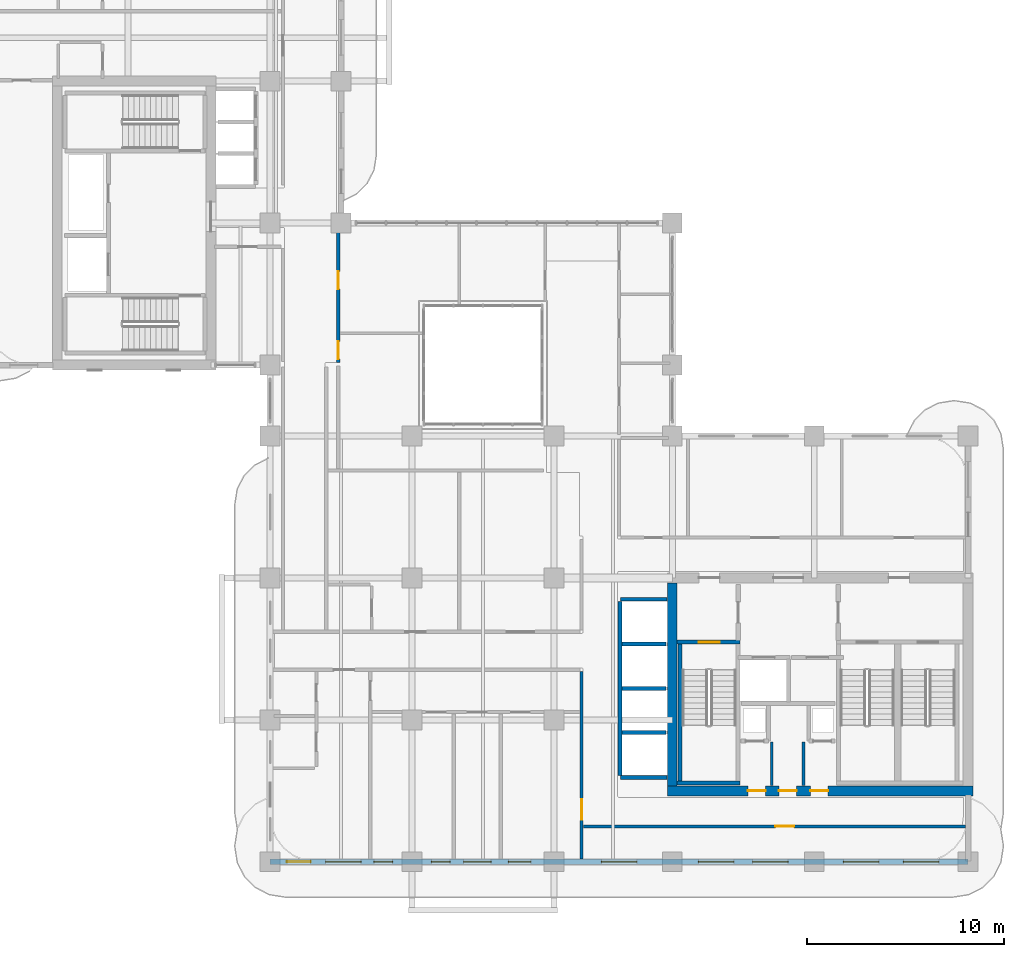
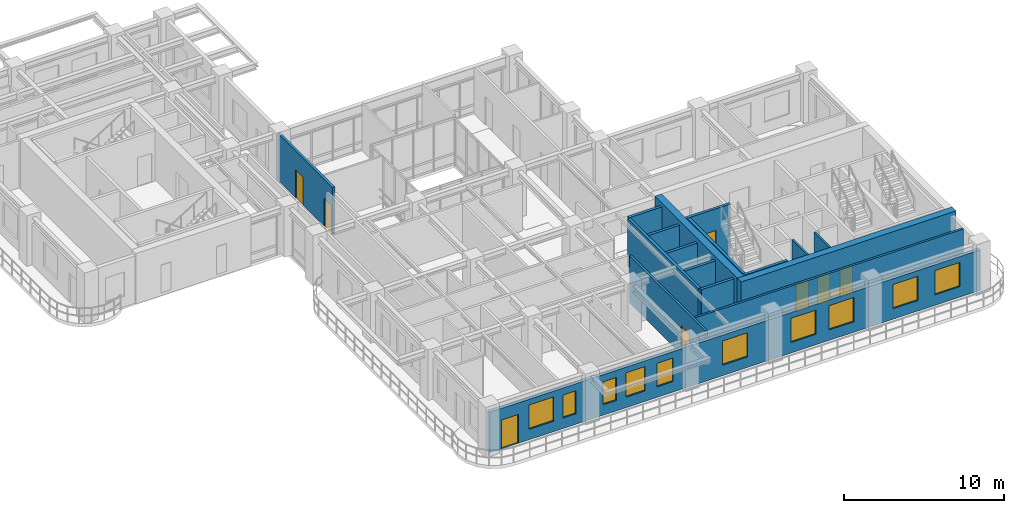
# One storey, part 12 of 20: 17 walls, 10 windows, 9 doors, 19 openings.
"""IFC4 building model written with IfcOpenShell, lengths in metres."""

from ifc_helpers import new_model, si_unit, derived_unit, direction, frame, frame_2d, origin, place, context, subcontext, project, spatial, rectangle, extrude, source, transform, mapped, material, layer, layer_set, type_object, type_shapes, element, fill, save


model = new_model("IFC4")

# Units and contexts
model_context = context("Model", 3, precision=1e-05, world=origin(), true_north=direction((0.0, 1.0)))
body_context = subcontext(model_context, "Body", "Model", "MODEL_VIEW")
ifc_project = project(units=[si_unit("LENGTHUNIT", "METRE"), si_unit("AREAUNIT", "SQUARE_METRE"), si_unit("VOLUMEUNIT", "CUBIC_METRE"), si_unit("PLANEANGLEUNIT", "RADIAN"), si_unit("MASSUNIT", "GRAM", prefix="KILO"), si_unit("THERMODYNAMICTEMPERATUREUNIT", "KELVIN"), si_unit("POWERUNIT", "WATT"), derived_unit("THERMALTRANSMITTANCEUNIT", [(si_unit("POWERUNIT", "WATT"), 1), (si_unit("AREAUNIT", "SQUARE_METRE"), -1), (si_unit("THERMODYNAMICTEMPERATUREUNIT", "KELVIN"), -1)])], contexts=[model_context])

# Site, building, storey
site_placement = place(None, origin())
site = spatial("IfcSite", under=ifc_project, at=site_placement, CompositionType="ELEMENT")
building_placement = place(site_placement, origin())
building = spatial("IfcBuilding", under=site, at=building_placement, Name="Zahravan Archway Hotel and Residences", CompositionType="ELEMENT")
storey_placement = place(building_placement, frame((0.0, 0.0, 173.39990234375)))
storey = spatial("IfcBuildingStorey", under=building, at=storey_placement, Name="L43", CompositionType="ELEMENT", Elevation=173.39990234375)

# Wall, openings, doors
ifc_material_1 = material(Name="Concrete C60/75", Category="concrete")
ifc_layer_1 = layer(ifc_material_1, 0.5, Name="Concrete C60/75", Category="concrete")
ifc_layer_set_1 = layer_set([ifc_layer_1], Name="Concrete C60/75")
wall_type_1 = type_object("IfcWallType", Name="CW-CORE-500", PredefinedType="SHEAR", material=ifc_layer_set_1)
wall_1_placement = place(storey_placement, frame((34.550048828125, 3.60009765625, 0.0), z_axis=(0.0, 0.0, 1.0), x_axis=(1.0, 0.0, 0.0)))
wall_1 = element("IfcWall", 1, at=wall_1_placement, inside=storey, type_object=wall_type_1, Name="L43 Core A Shear S Wall 500 mm", PredefinedType="SHEAR", context=body_context, shape_type="SweptSolid", body=[
    extrude(rectangle(XDim=15.5, YDim=0.5, at=frame_2d((7.75, 0.0))), origin(), (0.0, 0.0, 1.0), 3.85009765625),
])
opening_1_placement = place(wall_1_placement, frame((4.080078125, 0.0, 0.0)))
opening_1 = element("IfcOpeningElement", 2, at=opening_1_placement, cuts=wall_1, Name="Opening FD-R1", PredefinedType="OPENING", context=body_context, shape_type="SweptSolid", body=[
    extrude(rectangle(XDim=0.89990234375, YDim=2.10009765625, at=frame_2d((0.449951171875, 1.050048828125))), frame((0.0, 0.260009765625, 0.0), z_axis=(0.0, -1.0, 0.0), x_axis=(1.0, 0.0, 0.0)), (0.0, 0.0, 1.0), 0.52001953125),
])
opening_2_placement = place(wall_1_placement, frame((5.64990234375, 0.0, 0.0)))
opening_2 = element("IfcOpeningElement", 3, at=opening_2_placement, cuts=wall_1, Name="Opening FD-R1", PredefinedType="OPENING", context=body_context, shape_type="SweptSolid", body=[
    extrude(rectangle(XDim=0.89990234375, YDim=2.10009765625, at=frame_2d((0.449951171875, 1.050048828125))), frame((0.0, 0.260009765625, 0.0), z_axis=(0.0, -1.0, 0.0), x_axis=(1.0, 0.0, 0.0)), (0.0, 0.0, 1.0), 0.52001953125),
])
opening_3_placement = place(wall_1_placement, frame((7.25, 0.0, 0.0)))
opening_3 = element("IfcOpeningElement", 4, at=opening_3_placement, cuts=wall_1, Name="Opening FD-R1", PredefinedType="OPENING", context=body_context, shape_type="SweptSolid", body=[
    extrude(rectangle(XDim=0.89990234375, YDim=2.10009765625, at=frame_2d((0.449951171875, 1.050048828125))), frame((0.0, 0.260009765625, 0.0), z_axis=(0.0, -1.0, 0.0), x_axis=(1.0, 0.0, 0.0)), (0.0, 0.0, 1.0), 0.52001953125),
])
ifc_material_2 = material(Name="Fire-Rated Painted Steel", Category="steel")
door_type_1 = type_object("IfcDoorType", Name="FD-RISER-900", OperationType="NOTDEFINED", PredefinedType="DOOR", material=ifc_material_2)
shared_shape_1 = source(origin(), body_context, "Body", "SweptSolid", [
    extrude(rectangle(XDim=0.89990234375, YDim=2.10009765625, at=frame_2d((0.449951171875, 1.050048828125))), frame((0.0, 0.02490234375, 0.0), z_axis=(0.0, -1.0, 0.0), x_axis=(1.0, 0.0, 0.0)), (0.0, 0.0, 1.0), 0.050048828125),
])
type_shapes(door_type_1, [shared_shape_1])
door_1_placement = place(opening_1_placement, origin())
door_1 = element("IfcDoor", 5, at=door_1_placement, inside=storey, type_object=door_type_1, Name="L43 Linen Store Door", OperationType="SINGLE_SWING_LEFT", OverallHeight=2.10009765625, OverallWidth=0.89990234375, PredefinedType="DOOR", context=body_context, shape_type="MappedRepresentation", body=[
    mapped(shared_shape_1, transform((0.0, 0.0, 0.0), scale=1.0)),
])
fill(opening_1, door_1)
door_2_placement = place(opening_2_placement, origin())
door_2 = element("IfcDoor", 6, at=door_2_placement, inside=storey, type_object=door_type_1, Name="L43 Housekeeping Store Door", OperationType="SINGLE_SWING_RIGHT", OverallHeight=2.10009765625, OverallWidth=0.89990234375, PredefinedType="DOOR", context=body_context, shape_type="MappedRepresentation", body=[
    mapped(shared_shape_1, transform((0.0, 0.0, 0.0), scale=1.0)),
])
fill(opening_2, door_2)
door_3_placement = place(opening_3_placement, origin())
door_3 = element("IfcDoor", 7, at=door_3_placement, inside=storey, type_object=door_type_1, Name="L43 Janitor Store Door", OperationType="SINGLE_SWING_LEFT", OverallHeight=2.10009765625, OverallWidth=0.89990234375, PredefinedType="DOOR", context=body_context, shape_type="MappedRepresentation", body=[
    mapped(shared_shape_1, transform((0.0, 0.0, 0.0), scale=1.0)),
])
fill(opening_3, door_3)

# Wall
wall_2_placement = place(storey_placement, frame((34.800048828125, 3.85009765625, 0.0), z_axis=(0.0, 0.0, 1.0), x_axis=(0.0, 1.0, 0.0)))
element("IfcWall", 8, at=wall_2_placement, inside=storey, type_object=wall_type_1, Name="L43 Core A Shear W Wall 500 mm", PredefinedType="SHEAR", context=body_context, shape_type="SweptSolid", body=[
    extrude(rectangle(XDim=10.2998046875, YDim=0.5, at=frame_2d((5.14990234375, 0.0))), origin(), (0.0, 0.0, 1.0), 3.85009765625),
])

# Wall, openings, door, windows
ifc_material_3 = material(Name="Honed Red-Ochre Sandstone & Insulated Block", Category="masonry")
ifc_layer_2 = layer(ifc_material_3, 0.280029296875, Name="Honed Red-Ochre Sandstone & Insulated Block", Category="masonry")
ifc_layer_set_2 = layer_set([ifc_layer_2], Name="Honed Red-Ochre Sandstone & Insulated Block")
wall_type_2 = type_object("IfcWallType", Name="EW-LOG-280", PredefinedType="SOLIDWALL", material=ifc_layer_set_2)
wall_3_placement = place(storey_placement, frame((14.39990234375, 0.0, 0.0), z_axis=(0.0, 0.0, 1.0), x_axis=(1.0, 0.0, 0.0)))
wall_3 = element("IfcWall", 9, at=wall_3_placement, inside=storey, type_object=wall_type_2, Name="L43 Exterior Sandstone Wall WA-S", PredefinedType="SOLIDWALL", context=body_context, shape_type="SweptSolid", body=[
    extrude(rectangle(XDim=35.400146484375, YDim=0.280029296875, at=frame_2d((17.7001953125, 0.0))), origin(), (0.0, 0.0, 1.0), 3.085205078125),
])
opening_4_placement = place(wall_3_placement, frame((0.85009765625, 0.0, 0.0)))
opening_4 = element("IfcOpeningElement", 10, at=opening_4_placement, cuts=wall_3, Name="Opening ED-BL1", PredefinedType="OPENING", context=body_context, shape_type="SweptSolid", body=[
    extrude(rectangle(XDim=1.199951171875, YDim=2.199951171875, at=frame_2d((0.60009765625, 1.10009765625))), frame((0.0, 0.14990234375, 0.0), z_axis=(0.0, -1.0, 0.0), x_axis=(1.0, 0.0, 0.0)), (0.0, 0.0, 1.0), 0.300048828125),
])
opening_5_placement = place(wall_3_placement, frame((2.81103515625, 0.0, 0.800048828125)))
opening_5 = element("IfcOpeningElement", 11, at=opening_5_placement, cuts=wall_3, Name="Opening W-02", PredefinedType="OPENING", context=body_context, shape_type="SweptSolid", body=[
    extrude(rectangle(XDim=1.800048828125, YDim=1.85009765625, at=frame_2d((0.89990234375, 0.925048828125))), frame((0.0, 0.14990234375, 0.0), z_axis=(0.0, -1.0, 0.0), x_axis=(1.0, 0.0, 0.0)), (0.0, 0.0, 1.0), 0.300048828125),
])
opening_6_placement = place(wall_3_placement, frame((5.26904296875, 0.0, 0.800048828125)))
opening_6 = element("IfcOpeningElement", 12, at=opening_6_placement, cuts=wall_3, Name="Opening W-04", PredefinedType="OPENING", context=body_context, shape_type="SweptSolid", body=[
    extrude(rectangle(XDim=0.949951171875, YDim=1.75, at=frame_2d((0.47509765625, 0.875))), frame((0.0, 0.14990234375, 0.0), z_axis=(0.0, -1.0, 0.0), x_axis=(1.0, 0.0, 0.0)), (0.0, 0.0, 1.0), 0.300048828125),
])
opening_7_placement = place(wall_3_placement, frame((8.180908203125, 0.0, 0.800048828125)))
opening_7 = element("IfcOpeningElement", 13, at=opening_7_placement, cuts=wall_3, Name="Opening W-04", PredefinedType="OPENING", context=body_context, shape_type="SweptSolid", body=[
    extrude(rectangle(XDim=0.949951171875, YDim=1.75, at=frame_2d((0.47509765625, 0.875))), frame((0.0, 0.14990234375, 0.0), z_axis=(0.0, -1.0, 0.0), x_axis=(1.0, 0.0, 0.0)), (0.0, 0.0, 1.0), 0.300048828125),
])
opening_8_placement = place(wall_3_placement, frame((9.81005859375, 0.0, 0.800048828125)))
opening_8 = element("IfcOpeningElement", 14, at=opening_8_placement, cuts=wall_3, Name="Opening W-03", PredefinedType="OPENING", context=body_context, shape_type="SweptSolid", body=[
    extrude(rectangle(XDim=1.39990234375, YDim=1.85009765625, at=frame_2d((0.699951171875, 0.925048828125))), frame((0.0, 0.14990234375, 0.0), z_axis=(0.0, -1.0, 0.0), x_axis=(1.0, 0.0, 0.0)), (0.0, 0.0, 1.0), 0.300048828125),
])
opening_9_placement = place(wall_3_placement, frame((12.0791015625, 0.0, 0.800048828125)))
opening_9 = element("IfcOpeningElement", 15, at=opening_9_placement, cuts=wall_3, Name="Opening W-05", PredefinedType="OPENING", context=body_context, shape_type="SweptSolid", body=[
    extrude(rectangle(XDim=1.14990234375, YDim=1.800048828125, at=frame_2d((0.574951171875, 0.89990234375))), frame((0.0, 0.14990234375, 0.0), z_axis=(0.0, -1.0, 0.0), x_axis=(1.0, 0.0, 0.0)), (0.0, 0.0, 1.0), 0.300048828125),
])
opening_10_placement = place(wall_3_placement, frame((16.803955078125, 0.0, 0.800048828125)))
opening_10 = element("IfcOpeningElement", 16, at=opening_10_placement, cuts=wall_3, Name="Opening W-02", PredefinedType="OPENING", context=body_context, shape_type="SweptSolid", body=[
    extrude(rectangle(XDim=1.800048828125, YDim=1.85009765625, at=frame_2d((0.89990234375, 0.925048828125))), frame((0.0, 0.14990234375, 0.0), z_axis=(0.0, -1.0, 0.0), x_axis=(1.0, 0.0, 0.0)), (0.0, 0.0, 1.0), 0.300048828125),
])
opening_11_placement = place(wall_3_placement, frame((21.72509765625, 0.0, 0.800048828125)))
opening_11 = element("IfcOpeningElement", 17, at=opening_11_placement, cuts=wall_3, Name="Opening W-02", PredefinedType="OPENING", context=body_context, shape_type="SweptSolid", body=[
    extrude(rectangle(XDim=1.800048828125, YDim=1.85009765625, at=frame_2d((0.89990234375, 0.925048828125))), frame((0.0, 0.14990234375, 0.0), z_axis=(0.0, -1.0, 0.0), x_axis=(1.0, 0.0, 0.0)), (0.0, 0.0, 1.0), 0.300048828125),
])
opening_12_placement = place(wall_3_placement, frame((24.47509765625, 0.0, 0.800048828125)))
opening_12 = element("IfcOpeningElement", 18, at=opening_12_placement, cuts=wall_3, Name="Opening W-02", PredefinedType="OPENING", context=body_context, shape_type="SweptSolid", body=[
    extrude(rectangle(XDim=1.800048828125, YDim=1.85009765625, at=frame_2d((0.89990234375, 0.925048828125))), frame((0.0, 0.14990234375, 0.0), z_axis=(0.0, -1.0, 0.0), x_axis=(1.0, 0.0, 0.0)), (0.0, 0.0, 1.0), 0.300048828125),
])
opening_13_placement = place(wall_3_placement, frame((29.074951171875, 0.0, 0.800048828125)))
opening_13 = element("IfcOpeningElement", 19, at=opening_13_placement, cuts=wall_3, Name="Opening W-02", PredefinedType="OPENING", context=body_context, shape_type="SweptSolid", body=[
    extrude(rectangle(XDim=1.800048828125, YDim=1.85009765625, at=frame_2d((0.89990234375, 0.925048828125))), frame((0.0, 0.14990234375, 0.0), z_axis=(0.0, -1.0, 0.0), x_axis=(1.0, 0.0, 0.0)), (0.0, 0.0, 1.0), 0.300048828125),
])
opening_14_placement = place(wall_3_placement, frame((32.125, 0.0, 0.800048828125)))
opening_14 = element("IfcOpeningElement", 20, at=opening_14_placement, cuts=wall_3, Name="Opening W-02", PredefinedType="OPENING", context=body_context, shape_type="SweptSolid", body=[
    extrude(rectangle(XDim=1.800048828125, YDim=1.85009765625, at=frame_2d((0.89990234375, 0.925048828125))), frame((0.0, 0.14990234375, 0.0), z_axis=(0.0, -1.0, 0.0), x_axis=(1.0, 0.0, 0.0)), (0.0, 0.0, 1.0), 0.300048828125),
])
ifc_material_4 = material(Name="Bronze-Anodized Glazed Aluminium", Category="aluminium")
door_type_2 = type_object("IfcDoorType", Name="ED-BALC-1200", OperationType="SLIDING_TO_LEFT", PredefinedType="DOOR", material=ifc_material_4)
shared_shape_2 = source(origin(), body_context, "Body", "SweptSolid", [
    extrude(rectangle(XDim=1.199951171875, YDim=2.199951171875, at=frame_2d((0.60009765625, 1.10009765625))), frame((0.0, 0.02490234375, 0.0), z_axis=(0.0, -1.0, 0.0), x_axis=(1.0, 0.0, 0.0)), (0.0, 0.0, 1.0), 0.050048828125),
])
type_shapes(door_type_2, [shared_shape_2])
door_4_placement = place(opening_4_placement, origin())
door_4 = element("IfcDoor", 21, at=door_4_placement, inside=storey, type_object=door_type_2, Name="L43 Outdoor Access Sliding Door (SLB-BAL-L43-SA)", OperationType="SLIDING_TO_LEFT", OverallHeight=2.199951171875, OverallWidth=1.199951171875, PredefinedType="DOOR", context=body_context, shape_type="MappedRepresentation", body=[
    mapped(shared_shape_2, transform((0.0, 0.0, 0.0), scale=1.0)),
])
fill(opening_4, door_4)
ifc_material_5 = material(Name="Bronze-Anodized Thermal-Break Aluminium & Low-E Glass", Category="aluminium")
window_type_1 = type_object("IfcWindowType", Name="WIN-TWR-1400", PartitioningType="SINGLE_PANEL", PredefinedType="WINDOW", material=ifc_material_5)
shared_shape_3 = source(origin(), body_context, "Body", "SweptSolid", [
    extrude(rectangle(XDim=1.39990234375, YDim=1.85009765625, at=frame_2d((0.699951171875, 0.925048828125))), frame((0.0, 0.030029296875, 0.0), z_axis=(0.0, -1.0, 0.0), x_axis=(1.0, 0.0, 0.0)), (0.0, 0.0, 1.0), 0.06005859375),
])
type_shapes(window_type_1, [shared_shape_3])
window_1_placement = place(opening_8_placement, origin())
window_1 = element("IfcWindow", 22, at=window_1_placement, inside=storey, type_object=window_type_1, Name="L43 Loggia Window 04", OverallHeight=1.85009765625, OverallWidth=1.39990234375, PartitioningType="SINGLE_PANEL", PredefinedType="WINDOW", context=body_context, shape_type="MappedRepresentation", body=[
    mapped(shared_shape_3, transform((0.0, 0.0, 0.0), scale=1.0)),
])
fill(opening_8, window_1)
window_type_2 = type_object("IfcWindowType", Name="WIN-NAR-950", PartitioningType="SINGLE_PANEL", PredefinedType="WINDOW", material=ifc_material_5)
shared_shape_4 = source(origin(), body_context, "Body", "SweptSolid", [
    extrude(rectangle(XDim=0.949951171875, YDim=1.75, at=frame_2d((0.47509765625, 0.875))), frame((0.0, 0.030029296875, 0.0), z_axis=(0.0, -1.0, 0.0), x_axis=(1.0, 0.0, 0.0)), (0.0, 0.0, 1.0), 0.06005859375),
])
type_shapes(window_type_2, [shared_shape_4])
window_2_placement = place(opening_6_placement, origin())
window_2 = element("IfcWindow", 23, at=window_2_placement, inside=storey, type_object=window_type_2, Name="L43 Loggia Window 02", OverallHeight=1.75, OverallWidth=0.949951171875, PartitioningType="SINGLE_PANEL", PredefinedType="WINDOW", context=body_context, shape_type="MappedRepresentation", body=[
    mapped(shared_shape_4, transform((0.0, 0.0, 0.0), scale=1.0)),
])
fill(opening_6, window_2)
window_3_placement = place(opening_7_placement, origin())
window_3 = element("IfcWindow", 24, at=window_3_placement, inside=storey, type_object=window_type_2, Name="L43 Loggia Window 03", OverallHeight=1.75, OverallWidth=0.949951171875, PartitioningType="SINGLE_PANEL", PredefinedType="WINDOW", context=body_context, shape_type="MappedRepresentation", body=[
    mapped(shared_shape_4, transform((0.0, 0.0, 0.0), scale=1.0)),
])
fill(opening_7, window_3)
window_type_3 = type_object("IfcWindowType", Name="WIN-TWR-1800", PartitioningType="DOUBLE_PANEL_VERTICAL", PredefinedType="WINDOW", material=ifc_material_5)
shared_shape_5 = source(origin(), body_context, "Body", "SweptSolid", [
    extrude(rectangle(XDim=1.800048828125, YDim=1.85009765625, at=frame_2d((0.89990234375, 0.925048828125))), frame((0.0, 0.030029296875, 0.0), z_axis=(0.0, -1.0, 0.0), x_axis=(1.0, 0.0, 0.0)), (0.0, 0.0, 1.0), 0.06005859375),
])
type_shapes(window_type_3, [shared_shape_5])
window_4_placement = place(opening_5_placement, origin())
window_4 = element("IfcWindow", 25, at=window_4_placement, inside=storey, type_object=window_type_3, Name="L43 Loggia Window 01", OverallHeight=1.85009765625, OverallWidth=1.800048828125, PartitioningType="DOUBLE_PANEL_VERTICAL", PredefinedType="WINDOW", context=body_context, shape_type="MappedRepresentation", body=[
    mapped(shared_shape_5, transform((0.0, 0.0, 0.0), scale=1.0)),
])
fill(opening_5, window_4)
window_5_placement = place(opening_10_placement, origin())
window_5 = element("IfcWindow", 26, at=window_5_placement, inside=storey, type_object=window_type_3, Name="L43 Loggia Window 06", OverallHeight=1.85009765625, OverallWidth=1.800048828125, PartitioningType="DOUBLE_PANEL_VERTICAL", PredefinedType="WINDOW", context=body_context, shape_type="MappedRepresentation", body=[
    mapped(shared_shape_5, transform((0.0, 0.0, 0.0), scale=1.0)),
])
fill(opening_10, window_5)
window_6_placement = place(opening_11_placement, origin())
window_6 = element("IfcWindow", 27, at=window_6_placement, inside=storey, type_object=window_type_3, Name="L43 Loggia Window 07", OverallHeight=1.85009765625, OverallWidth=1.800048828125, PartitioningType="DOUBLE_PANEL_VERTICAL", PredefinedType="WINDOW", context=body_context, shape_type="MappedRepresentation", body=[
    mapped(shared_shape_5, transform((0.0, 0.0, 0.0), scale=1.0)),
])
fill(opening_11, window_6)
window_7_placement = place(opening_12_placement, origin())
window_7 = element("IfcWindow", 28, at=window_7_placement, inside=storey, type_object=window_type_3, Name="L43 Loggia Window 08", OverallHeight=1.85009765625, OverallWidth=1.800048828125, PartitioningType="DOUBLE_PANEL_VERTICAL", PredefinedType="WINDOW", context=body_context, shape_type="MappedRepresentation", body=[
    mapped(shared_shape_5, transform((0.0, 0.0, 0.0), scale=1.0)),
])
fill(opening_12, window_7)
window_8_placement = place(opening_13_placement, origin())
window_8 = element("IfcWindow", 29, at=window_8_placement, inside=storey, type_object=window_type_3, Name="L43 Loggia Window 09", OverallHeight=1.85009765625, OverallWidth=1.800048828125, PartitioningType="DOUBLE_PANEL_VERTICAL", PredefinedType="WINDOW", context=body_context, shape_type="MappedRepresentation", body=[
    mapped(shared_shape_5, transform((0.0, 0.0, 0.0), scale=1.0)),
])
fill(opening_13, window_8)
window_9_placement = place(opening_14_placement, origin())
window_9 = element("IfcWindow", 30, at=window_9_placement, inside=storey, type_object=window_type_3, Name="L43 Loggia Window 10", OverallHeight=1.85009765625, OverallWidth=1.800048828125, PartitioningType="DOUBLE_PANEL_VERTICAL", PredefinedType="WINDOW", context=body_context, shape_type="MappedRepresentation", body=[
    mapped(shared_shape_5, transform((0.0, 0.0, 0.0), scale=1.0)),
])
fill(opening_14, window_9)
window_type_4 = type_object("IfcWindowType", Name="WIN-TWR-1150", PartitioningType="SINGLE_PANEL", PredefinedType="WINDOW", material=ifc_material_5)
shared_shape_6 = source(origin(), body_context, "Body", "SweptSolid", [
    extrude(rectangle(XDim=1.14990234375, YDim=1.800048828125, at=frame_2d((0.574951171875, 0.89990234375))), frame((0.0, 0.030029296875, 0.0), z_axis=(0.0, -1.0, 0.0), x_axis=(1.0, 0.0, 0.0)), (0.0, 0.0, 1.0), 0.06005859375),
])
type_shapes(window_type_4, [shared_shape_6])
window_10_placement = place(opening_9_placement, origin())
window_10 = element("IfcWindow", 31, at=window_10_placement, inside=storey, type_object=window_type_4, Name="L43 Loggia Window 05", OverallHeight=1.800048828125, OverallWidth=1.14990234375, PartitioningType="SINGLE_PANEL", PredefinedType="WINDOW", context=body_context, shape_type="MappedRepresentation", body=[
    mapped(shared_shape_6, transform((0.0, 0.0, 0.0), scale=1.0)),
])
fill(opening_9, window_10)

# Wall, opening, door
ifc_material_6 = material(Name="Fire-Rated Gypsum & Concrete Block", Category="concrete")
ifc_layer_3 = layer(ifc_material_6, 0.159912109375, Name="Fire-Rated Gypsum & Concrete Block", Category="concrete")
ifc_layer_set_3 = layer_set([ifc_layer_3], Name="Fire-Rated Gypsum & Concrete Block")
wall_type_3 = type_object("IfcWallType", Name="PW-CORR-160", PredefinedType="PARTITIONING", material=ifc_layer_set_3)
wall_4_placement = place(storey_placement, frame((30.199951171875, 0.14794921875, 0.0), z_axis=(0.0, 0.0, 1.0), x_axis=(0.0, 1.0, 0.0)))
wall_4 = element("IfcWall", 32, at=wall_4_placement, inside=storey, type_object=wall_type_3, Name="L43 Partition WA-SRW", PredefinedType="PARTITIONING", context=body_context, shape_type="SweptSolid", body=[
    extrude(rectangle(XDim=9.511962890625, YDim=0.159912109375, at=frame_2d((4.755859375, 0.0))), origin(), (0.0, 0.0, 1.0), 3.60009765625),
])
opening_15_placement = place(wall_4_placement, frame((1.97705078125, 0.0, 0.0)))
opening_15 = element("IfcOpeningElement", 33, at=opening_15_placement, cuts=wall_4, Name="Opening FD-L2", PredefinedType="OPENING", context=body_context, shape_type="SweptSolid", body=[
    extrude(rectangle(XDim=1.050048828125, YDim=2.14990234375, at=frame_2d((0.52490234375, 1.074951171875))), frame((0.0, 0.08984375, 0.0), z_axis=(0.0, -1.0, 0.0), x_axis=(1.0, 0.0, 0.0)), (0.0, 0.0, 1.0), 0.179931640625),
])
door_type_3 = type_object("IfcDoorType", Name="FD-LOBBY-1100", OperationType="NOTDEFINED", PredefinedType="DOOR", material=ifc_material_2)
shared_shape_7 = source(origin(), body_context, "Body", "SweptSolid", [
    extrude(rectangle(XDim=1.050048828125, YDim=2.14990234375, at=frame_2d((0.52490234375, 1.074951171875))), frame((0.0, 0.02490234375, 0.0), z_axis=(0.0, -1.0, 0.0), x_axis=(1.0, 0.0, 0.0)), (0.0, 0.0, 1.0), 0.050048828125),
])
type_shapes(door_type_3, [shared_shape_7])
door_5_placement = place(opening_15_placement, origin())
door_5 = element("IfcDoor", 34, at=door_5_placement, inside=storey, type_object=door_type_3, Name="L43 South Riser Corridor Door", OperationType="SINGLE_SWING_LEFT", OverallHeight=2.14990234375, OverallWidth=1.050048828125, PredefinedType="DOOR", context=body_context, shape_type="MappedRepresentation", body=[
    mapped(shared_shape_7, transform((0.0, 0.0, 0.0), scale=1.0)),
])
fill(opening_15, door_5)

wall_5_placement = place(storey_placement, frame((30.2900390625, 1.800048828125, 0.0), z_axis=(0.0, 0.0, 1.0), x_axis=(1.0, 0.0, 0.0)))
wall_5 = element("IfcWall", 35, at=wall_5_placement, inside=storey, type_object=wall_type_3, Name="L43 Partition WA-SRS", PredefinedType="PARTITIONING", context=body_context, shape_type="SweptSolid", body=[
    extrude(rectangle(XDim=19.369873046875, YDim=0.159912109375, at=frame_2d((9.68505859375, 0.0))), origin(), (0.0, 0.0, 1.0), 3.60009765625),
])
opening_16_placement = place(wall_5_placement, frame((9.735107421875, 0.0, 0.0)))
opening_16 = element("IfcOpeningElement", 36, at=opening_16_placement, cuts=wall_5, Name="Opening D-I1", PredefinedType="OPENING", context=body_context, shape_type="SweptSolid", body=[
    extrude(rectangle(XDim=0.949951171875, YDim=2.14990234375, at=frame_2d((0.47509765625, 1.074951171875))), frame((0.0, 0.08984375, 0.0), z_axis=(0.0, -1.0, 0.0), x_axis=(1.0, 0.0, 0.0)), (0.0, 0.0, 1.0), 0.179931640625),
])
ifc_material_7 = material(Name="Hardwood Veneer Timber", Category="wood")
door_type_4 = type_object("IfcDoorType", Name="ID-INT-950", OperationType="NOTDEFINED", PredefinedType="DOOR", material=ifc_material_7)
shared_shape_8 = source(origin(), body_context, "Body", "SweptSolid", [
    extrude(rectangle(XDim=0.949951171875, YDim=2.14990234375, at=frame_2d((0.47509765625, 1.074951171875))), frame((0.0, 0.02490234375, 0.0), z_axis=(0.0, -1.0, 0.0), x_axis=(1.0, 0.0, 0.0)), (0.0, 0.0, 1.0), 0.050048828125),
])
type_shapes(door_type_4, [shared_shape_8])
door_6_placement = place(opening_16_placement, origin())
door_6 = element("IfcDoor", 37, at=door_6_placement, inside=storey, type_object=door_type_4, Name="L43 South Viewing Lounge Door", OperationType="SINGLE_SWING_RIGHT", OverallHeight=2.14990234375, OverallWidth=0.949951171875, PredefinedType="DOOR", context=body_context, shape_type="MappedRepresentation", body=[
    mapped(shared_shape_8, transform((0.0, 0.0, 0.0), scale=1.0)),
])
fill(opening_16, door_6)

# Walls
ifc_layer_4 = layer(ifc_material_6, 0.199951171875, Name="Fire-Rated Gypsum & Concrete Block", Category="concrete")
ifc_layer_set_4 = layer_set([ifc_layer_4], Name="Fire-Rated Gypsum & Concrete Block")
wall_type_4 = type_object("IfcWallType", Name="PW-SHAFT-200", PredefinedType="PARTITIONING", material=ifc_layer_set_4)
for number, where, z_axis, x_axis, name in (
    (38, (32.159912109375, 4.280029296875, 0.0), (0.0, 0.0, 1.0), (1.0, 0.0, 0.0), "L43 Partition B3-S"),
    (39, (32.159912109375, 13.320068359375, 0.0), (0.0, 0.0, 1.0), (1.0, 0.0, 0.0), "L43 Partition B3-N"),
):
    element("IfcWall", number, at=place(storey_placement, frame(where, z_axis=z_axis, x_axis=x_axis)), inside=storey, type_object=wall_type_4, Name=name, PredefinedType="PARTITIONING", context=body_context, shape_type="SweptSolid", body=[
        extrude(rectangle(XDim=2.360107421875, YDim=0.199951171875, at=frame_2d((1.18017578125, 0.0))), origin(), (0.0, 0.0, 1.0), 3.60009765625),
    ])
wall_6_placement = place(storey_placement, frame((32.14990234375, 4.389892578125, 0.0), z_axis=(0.0, 0.0, 1.0), x_axis=(0.0, 1.0, 0.0)))
element("IfcWall", 40, at=wall_6_placement, inside=storey, type_object=wall_type_4, Name="L43 Partition B3-W", PredefinedType="PARTITIONING", context=body_context, shape_type="SweptSolid", body=[
    extrude(rectangle(XDim=8.820068359375, YDim=0.199951171875, at=frame_2d((4.41015625, 0.0))), origin(), (0.0, 0.0, 1.0), 3.60009765625),
])
for number, where, z_axis, x_axis, name in (
    (41, (32.260009765625, 6.56005859375, 0.0), (0.0, 0.0, 1.0), (1.0, 0.0, 0.0), "L43 Partition B3-D"),
    (42, (32.260009765625, 8.800048828125, 0.0), (0.0, 0.0, 1.0), (1.0, 0.0, 0.0), "L43 Partition B3-D"),
    (43, (32.260009765625, 11.0400390625, 0.0), (0.0, 0.0, 1.0), (1.0, 0.0, 0.0), "L43 Partition B3-D"),
):
    element("IfcWall", number, at=place(storey_placement, frame(where, z_axis=z_axis, x_axis=x_axis)), inside=storey, type_object=wall_type_4, Name=name, PredefinedType="PARTITIONING", context=body_context, shape_type="SweptSolid", body=[
        extrude(rectangle(XDim=2.22998046875, YDim=0.199951171875, at=frame_2d((1.114990234375, 0.0))), origin(), (0.0, 0.0, 1.0), 3.60009765625),
    ])

# Wall, openings, doors
ifc_material_8 = material(Name="Acoustic Stud Partition")
ifc_layer_5 = layer(ifc_material_8, 0.169921875, Name="Acoustic Stud Partition")
ifc_layer_set_5 = layer_set([ifc_layer_5], Name="Acoustic Stud Partition")
wall_type_5 = type_object("IfcWallType", Name="PW-UNIT-170", PredefinedType="PARTITIONING", material=ifc_layer_set_5)
wall_7_placement = place(storey_placement, frame((17.85009765625, 25.340087890625, 0.0), z_axis=(0.0, 0.0, 1.0), x_axis=(0.0, 1.0, 0.0)))
wall_7 = element("IfcWall", 44, at=wall_7_placement, inside=storey, type_object=wall_type_5, Name="L43 Partition ATR-W2", PredefinedType="PARTITIONING", context=body_context, shape_type="SweptSolid", body=[
    extrude(rectangle(XDim=6.869873046875, YDim=0.169921875, at=frame_2d((3.43505859375, 0.0))), origin(), (0.0, 0.0, 1.0), 3.60009765625),
])
opening_17_placement = place(wall_7_placement, frame((0.159912109375, 0.0, 0.0)))
opening_17 = element("IfcOpeningElement", 45, at=opening_17_placement, cuts=wall_7, Name="Opening D-I2", PredefinedType="OPENING", context=body_context, shape_type="SweptSolid", body=[
    extrude(rectangle(XDim=0.89990234375, YDim=2.14990234375, at=frame_2d((0.449951171875, 1.074951171875))), frame((0.0, 0.094970703125, 0.0), z_axis=(0.0, -1.0, 0.0), x_axis=(1.0, 0.0, 0.0)), (0.0, 0.0, 1.0), 0.18994140625),
])
opening_18_placement = place(wall_7_placement, frame((3.7099609375, 0.0, 0.0)))
opening_18 = element("IfcOpeningElement", 46, at=opening_18_placement, cuts=wall_7, Name="Opening D-I2", PredefinedType="OPENING", context=body_context, shape_type="SweptSolid", body=[
    extrude(rectangle(XDim=0.89990234375, YDim=2.14990234375, at=frame_2d((0.449951171875, 1.074951171875))), frame((0.0, 0.094970703125, 0.0), z_axis=(0.0, -1.0, 0.0), x_axis=(1.0, 0.0, 0.0)), (0.0, 0.0, 1.0), 0.18994140625),
])
door_type_5 = type_object("IfcDoorType", Name="ID-INT-900", OperationType="NOTDEFINED", PredefinedType="DOOR", material=ifc_material_7)
shared_shape_9 = source(origin(), body_context, "Body", "SweptSolid", [
    extrude(rectangle(XDim=0.89990234375, YDim=2.14990234375, at=frame_2d((0.449951171875, 1.074951171875))), frame((0.0, 0.02490234375, 0.0), z_axis=(0.0, -1.0, 0.0), x_axis=(1.0, 0.0, 0.0)), (0.0, 0.0, 1.0), 0.050048828125),
])
type_shapes(door_type_5, [shared_shape_9])
door_7_placement = place(opening_17_placement, origin())
door_7 = element("IfcDoor", 47, at=door_7_placement, inside=storey, type_object=door_type_5, Name="L43 Atrium SW Office Door", OperationType="SINGLE_SWING_RIGHT", OverallHeight=2.14990234375, OverallWidth=0.89990234375, PredefinedType="DOOR", context=body_context, shape_type="MappedRepresentation", body=[
    mapped(shared_shape_9, transform((0.0, 0.0, 0.0), scale=1.0)),
])
fill(opening_17, door_7)
door_8_placement = place(opening_18_placement, origin())
door_8 = element("IfcDoor", 48, at=door_8_placement, inside=storey, type_object=door_type_5, Name="L43 Atrium NW Office Door", OperationType="SINGLE_SWING_LEFT", OverallHeight=2.14990234375, OverallWidth=0.89990234375, PredefinedType="DOOR", context=body_context, shape_type="MappedRepresentation", body=[
    mapped(shared_shape_9, transform((0.0, 0.0, 0.0), scale=1.0)),
])
fill(opening_18, door_8)

# Walls
ifc_material_9 = material(Name="Moisture-Resistant Blockwork", Category="masonry")
ifc_layer_6 = layer(ifc_material_9, 0.139892578125, Name="Moisture-Resistant Blockwork", Category="masonry")
ifc_layer_set_6 = layer_set([ifc_layer_6], Name="Moisture-Resistant Blockwork")
wall_type_6 = type_object("IfcWallType", Name="PW-WET-140", PredefinedType="PARTITIONING", material=ifc_layer_set_6)
for number, where, z_axis, x_axis, name in (
    (49, (39.85009765625, 3.8701171875, 0.0), (0.0, 0.0, 1.0), (0.0, 1.0, 0.0), "L43 Partition CA-CV1A"),
    (50, (41.449951171875, 3.8701171875, 0.0), (0.0, 0.0, 1.0), (0.0, 1.0, 0.0), "L43 Partition CA-CV1B"),
):
    element("IfcWall", number, at=place(storey_placement, frame(where, z_axis=z_axis, x_axis=x_axis)), inside=storey, type_object=wall_type_6, Name=name, PredefinedType="PARTITIONING", context=body_context, shape_type="SweptSolid", body=[
        extrude(rectangle(XDim=2.2099609375, YDim=0.139892578125, at=frame_2d((1.10498046875, 0.0))), origin(), (0.0, 0.0, 1.0), 3.60009765625),
    ])
ifc_material_10 = material(Name="Concrete C50/60", Category="concrete")
ifc_layer_7 = layer(ifc_material_10, 0.199951171875, Name="Concrete C50/60", Category="concrete")
ifc_layer_set_7 = layer_set([ifc_layer_7], Name="Concrete C50/60")
wall_type_7 = type_object("IfcWallType", Name="SW-STAIR-200", PredefinedType="SHEAR", material=ifc_layer_set_7)
wall_8_placement = place(storey_placement, frame((35.050048828125, 4.0, 0.0), z_axis=(0.0, 0.0, 1.0), x_axis=(1.0, 0.0, 0.0)))
element("IfcWall", 51, at=wall_8_placement, inside=storey, type_object=wall_type_7, Name="L43 Stairwell RC Wall CA-SA1S", PredefinedType="SHEAR", context=body_context, shape_type="SweptSolid", body=[
    extrude(rectangle(XDim=3.18994140625, YDim=0.199951171875, at=frame_2d((1.594970703125, 0.0))), origin(), (0.0, 0.0, 1.0), 3.85009765625),
])
wall_9_placement = place(storey_placement, frame((35.199951171875, 4.10009765625, 0.0), z_axis=(0.0, 0.0, 1.0), x_axis=(0.0, 1.0, 0.0)))
element("IfcWall", 52, at=wall_9_placement, inside=storey, type_object=wall_type_7, Name="L43 Stairwell RC Wall CA-SA1W", PredefinedType="SHEAR", context=body_context, shape_type="SweptSolid", body=[
    extrude(rectangle(XDim=6.949951171875, YDim=0.199951171875, at=frame_2d((3.47509765625, 0.0))), origin(), (0.0, 0.0, 1.0), 3.85009765625),
])

# Wall, opening, door
wall_10_placement = place(storey_placement, frame((35.050048828125, 11.14990234375, 0.0), z_axis=(0.0, 0.0, 1.0), x_axis=(1.0, 0.0, 0.0)))
wall_10 = element("IfcWall", 53, at=wall_10_placement, inside=storey, type_object=wall_type_7, Name="L43 Stairwell RC Wall CA-SA1N", PredefinedType="SHEAR", context=body_context, shape_type="SweptSolid", body=[
    extrude(rectangle(XDim=3.18994140625, YDim=0.199951171875, at=frame_2d((1.594970703125, 0.0))), origin(), (0.0, 0.0, 1.0), 3.85009765625),
])
opening_19_placement = place(wall_10_placement, frame((1.094970703125, 0.0, 0.0)))
opening_19 = element("IfcOpeningElement", 54, at=opening_19_placement, cuts=wall_10, Name="Opening FD-S1", PredefinedType="OPENING", context=body_context, shape_type="SweptSolid", body=[
    extrude(rectangle(XDim=1.050048828125, YDim=2.199951171875, at=frame_2d((0.52490234375, 1.10009765625))), frame((0.0, 0.10986328125, 0.0), z_axis=(0.0, -1.0, 0.0), x_axis=(1.0, 0.0, 0.0)), (0.0, 0.0, 1.0), 0.219970703125),
])
door_type_6 = type_object("IfcDoorType", Name="FD-STAIR-1100", OperationType="NOTDEFINED", PredefinedType="DOOR", material=ifc_material_2)
shared_shape_10 = source(origin(), body_context, "Body", "SweptSolid", [
    extrude(rectangle(XDim=1.050048828125, YDim=2.199951171875, at=frame_2d((0.52490234375, 1.10009765625))), frame((0.0, 0.02490234375, 0.0), z_axis=(0.0, -1.0, 0.0), x_axis=(1.0, 0.0, 0.0)), (0.0, 0.0, 1.0), 0.050048828125),
])
type_shapes(door_type_6, [shared_shape_10])
door_9_placement = place(opening_19_placement, origin())
door_9 = element("IfcDoor", 55, at=door_9_placement, inside=storey, type_object=door_type_6, Name="L43 Stair ST-A1 Door", OperationType="SINGLE_SWING_RIGHT", OverallHeight=2.199951171875, OverallWidth=1.050048828125, PredefinedType="DOOR", context=body_context, shape_type="MappedRepresentation", body=[
    mapped(shared_shape_10, transform((0.0, 0.0, 0.0), scale=1.0)),
])
fill(opening_19, door_9)

save(model, "model.ifc")
